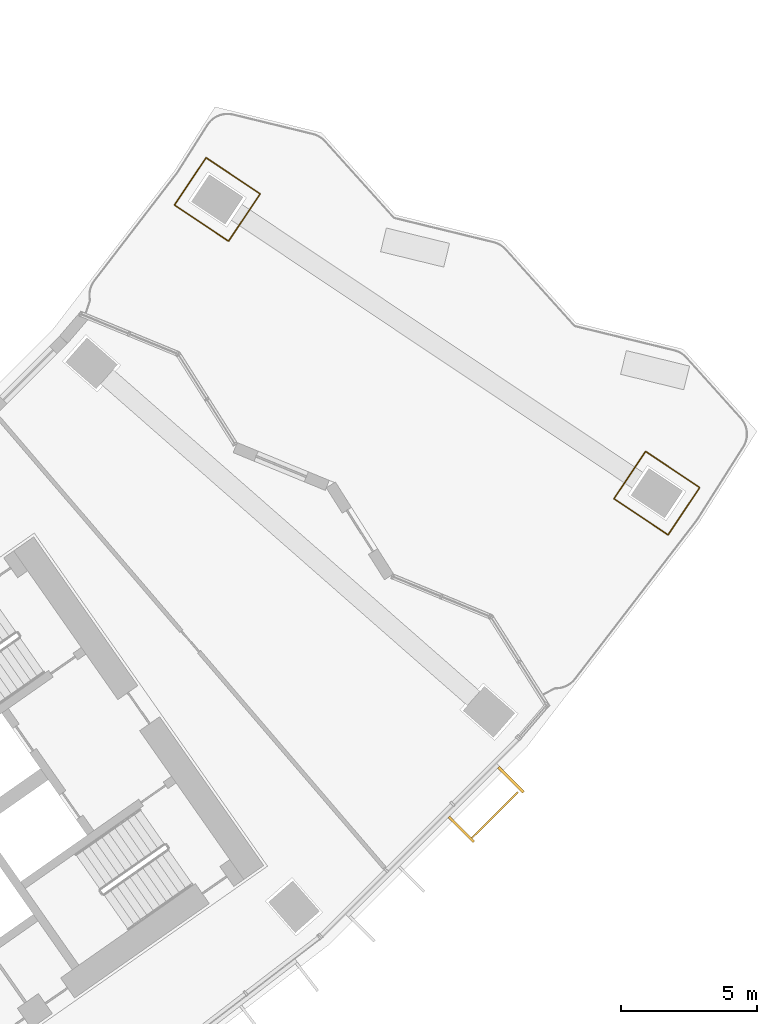
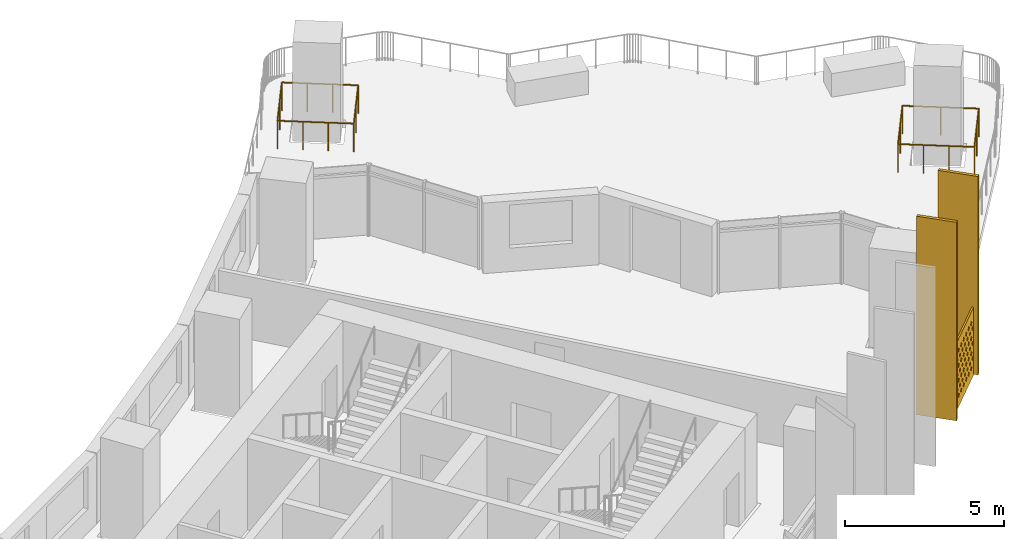
# One storey, part 32 of 33: 3 shading devices, 2 railings.
"""IFC4 building model written with IfcOpenShell, lengths in metres."""

from ifc_helpers import new_model, si_unit, direction, frame, origin, origin_2d, place, context, subcontext, project, spatial, polyline, rectangle, circle, outline, extrude, material, material_profile, profile_set, type_object, element, save


model = new_model("IFC4")

# Units and contexts
model_context = context("Model", 3, precision=1e-05, world=origin(), true_north=direction((0.0, 1.0)))
body_context = subcontext(model_context, "Body", "Model", "MODEL_VIEW")
ifc_project = project(units=[si_unit("LENGTHUNIT", "METRE"), si_unit("AREAUNIT", "SQUARE_METRE"), si_unit("VOLUMEUNIT", "CUBIC_METRE"), si_unit("PLANEANGLEUNIT", "RADIAN"), si_unit("MASSUNIT", "GRAM", prefix="KILO")], contexts=[model_context])

# Site, building, storey
site_placement = place(None, origin())
site = spatial("IfcSite", under=ifc_project, at=site_placement, CompositionType="ELEMENT")
building_placement = place(site_placement, origin())
building = spatial("IfcBuilding", under=site, at=building_placement, Name="Qamariyya Broadcast Tower", CompositionType="ELEMENT")
storey_placement = place(building_placement, frame((0.0, 0.0, 94.89990234375)))
storey = spatial("IfcBuildingStorey", under=building, at=storey_placement, Name="L20", CompositionType="ELEMENT", Elevation=94.89990234375)

# Shading device
ifc_material_1 = material(Name="Perforated glazed terracotta", Category="masonry")
ifc_material_profile_1 = material_profile(ifc_material_1, outline(polyline([(-1.199951171875, -1.300048828125), (1.199951171875, -1.300048828125), (1.199951171875, 1.300048828125), (-1.199951171875, 1.300048828125), (-1.199951171875, -1.300048828125)]), holes=[polyline([(-0.81494140625, -0.86669921875), (-0.89990234375, -0.78173828125), (-0.985107421875, -0.86669921875), (-0.89990234375, -0.95166015625), (-0.81494140625, -0.86669921875)]), polyline([(-0.514892578125, -0.86669921875), (-0.60009765625, -0.78173828125), (-0.68505859375, -0.86669921875), (-0.60009765625, -0.95166015625), (-0.514892578125, -0.86669921875)]), polyline([(-0.215087890625, -0.86669921875), (-0.300048828125, -0.78173828125), (-0.385009765625, -0.86669921875), (-0.300048828125, -0.95166015625), (-0.215087890625, -0.86669921875)]), polyline([(0.0849609375, -0.86669921875), (0.0, -0.78173828125), (-0.0849609375, -0.86669921875), (0.0, -0.95166015625), (0.0849609375, -0.86669921875)]), polyline([(0.385009765625, -0.86669921875), (0.300048828125, -0.78173828125), (0.215087890625, -0.86669921875), (0.300048828125, -0.95166015625), (0.385009765625, -0.86669921875)]), polyline([(0.68505859375, -0.86669921875), (0.60009765625, -0.78173828125), (0.514892578125, -0.86669921875), (0.60009765625, -0.95166015625), (0.68505859375, -0.86669921875)]), polyline([(0.985107421875, -0.86669921875), (0.89990234375, -0.78173828125), (0.81494140625, -0.86669921875), (0.89990234375, -0.95166015625), (0.985107421875, -0.86669921875)]), polyline([(-0.965087890625, -0.577880859375), (-1.050048828125, -0.49267578125), (-1.135009765625, -0.577880859375), (-1.050048828125, -0.662841796875), (-0.965087890625, -0.577880859375)]), polyline([(-0.6650390625, -0.577880859375), (-0.75, -0.49267578125), (-0.8349609375, -0.577880859375), (-0.75, -0.662841796875), (-0.6650390625, -0.577880859375)]), polyline([(-0.364990234375, -0.577880859375), (-0.449951171875, -0.49267578125), (-0.534912109375, -0.577880859375), (-0.449951171875, -0.662841796875), (-0.364990234375, -0.577880859375)]), polyline([(-0.06494140625, -0.577880859375), (-0.14990234375, -0.49267578125), (-0.235107421875, -0.577880859375), (-0.14990234375, -0.662841796875), (-0.06494140625, -0.577880859375)]), polyline([(0.235107421875, -0.577880859375), (0.14990234375, -0.49267578125), (0.06494140625, -0.577880859375), (0.14990234375, -0.662841796875), (0.235107421875, -0.577880859375)]), polyline([(0.534912109375, -0.577880859375), (0.449951171875, -0.49267578125), (0.364990234375, -0.577880859375), (0.449951171875, -0.662841796875), (0.534912109375, -0.577880859375)]), polyline([(0.8349609375, -0.577880859375), (0.75, -0.49267578125), (0.6650390625, -0.577880859375), (0.75, -0.662841796875), (0.8349609375, -0.577880859375)]), polyline([(1.135009765625, -0.577880859375), (1.050048828125, -0.49267578125), (0.965087890625, -0.577880859375), (1.050048828125, -0.662841796875), (1.135009765625, -0.577880859375)]), polyline([(-0.81494140625, -0.288818359375), (-0.89990234375, -0.203857421875), (-0.985107421875, -0.288818359375), (-0.89990234375, -0.373779296875), (-0.81494140625, -0.288818359375)]), polyline([(-0.514892578125, -0.288818359375), (-0.60009765625, -0.203857421875), (-0.68505859375, -0.288818359375), (-0.60009765625, -0.373779296875), (-0.514892578125, -0.288818359375)]), polyline([(-0.215087890625, -0.288818359375), (-0.300048828125, -0.203857421875), (-0.385009765625, -0.288818359375), (-0.300048828125, -0.373779296875), (-0.215087890625, -0.288818359375)]), polyline([(0.0849609375, -0.288818359375), (0.0, -0.203857421875), (-0.0849609375, -0.288818359375), (0.0, -0.373779296875), (0.0849609375, -0.288818359375)]), polyline([(0.385009765625, -0.288818359375), (0.300048828125, -0.203857421875), (0.215087890625, -0.288818359375), (0.300048828125, -0.373779296875), (0.385009765625, -0.288818359375)]), polyline([(0.68505859375, -0.288818359375), (0.60009765625, -0.203857421875), (0.514892578125, -0.288818359375), (0.60009765625, -0.373779296875), (0.68505859375, -0.288818359375)]), polyline([(0.985107421875, -0.288818359375), (0.89990234375, -0.203857421875), (0.81494140625, -0.288818359375), (0.89990234375, -0.373779296875), (0.985107421875, -0.288818359375)]), polyline([(-0.965087890625, 0.0), (-1.050048828125, 0.0849609375), (-1.135009765625, 0.0), (-1.050048828125, -0.0849609375), (-0.965087890625, 0.0)]), polyline([(-0.6650390625, 0.0), (-0.75, 0.0849609375), (-0.8349609375, 0.0), (-0.75, -0.0849609375), (-0.6650390625, 0.0)]), polyline([(-0.364990234375, 0.0), (-0.449951171875, 0.0849609375), (-0.534912109375, 0.0), (-0.449951171875, -0.0849609375), (-0.364990234375, 0.0)]), polyline([(-0.06494140625, 0.0), (-0.14990234375, 0.0849609375), (-0.235107421875, 0.0), (-0.14990234375, -0.0849609375), (-0.06494140625, 0.0)]), polyline([(0.235107421875, 0.0), (0.14990234375, 0.0849609375), (0.06494140625, 0.0), (0.14990234375, -0.0849609375), (0.235107421875, 0.0)]), polyline([(0.534912109375, 0.0), (0.449951171875, 0.0849609375), (0.364990234375, 0.0), (0.449951171875, -0.0849609375), (0.534912109375, 0.0)]), polyline([(0.8349609375, 0.0), (0.75, 0.0849609375), (0.6650390625, 0.0), (0.75, -0.0849609375), (0.8349609375, 0.0)]), polyline([(1.135009765625, 0.0), (1.050048828125, 0.0849609375), (0.965087890625, 0.0), (1.050048828125, -0.0849609375), (1.135009765625, 0.0)]), polyline([(-0.81494140625, 0.288818359375), (-0.89990234375, 0.373779296875), (-0.985107421875, 0.288818359375), (-0.89990234375, 0.203857421875), (-0.81494140625, 0.288818359375)]), polyline([(-0.514892578125, 0.288818359375), (-0.60009765625, 0.373779296875), (-0.68505859375, 0.288818359375), (-0.60009765625, 0.203857421875), (-0.514892578125, 0.288818359375)]), polyline([(-0.215087890625, 0.288818359375), (-0.300048828125, 0.373779296875), (-0.385009765625, 0.288818359375), (-0.300048828125, 0.203857421875), (-0.215087890625, 0.288818359375)]), polyline([(0.0849609375, 0.288818359375), (0.0, 0.373779296875), (-0.0849609375, 0.288818359375), (0.0, 0.203857421875), (0.0849609375, 0.288818359375)]), polyline([(0.385009765625, 0.288818359375), (0.300048828125, 0.373779296875), (0.215087890625, 0.288818359375), (0.300048828125, 0.203857421875), (0.385009765625, 0.288818359375)]), polyline([(0.68505859375, 0.288818359375), (0.60009765625, 0.373779296875), (0.514892578125, 0.288818359375), (0.60009765625, 0.203857421875), (0.68505859375, 0.288818359375)]), polyline([(0.985107421875, 0.288818359375), (0.89990234375, 0.373779296875), (0.81494140625, 0.288818359375), (0.89990234375, 0.203857421875), (0.985107421875, 0.288818359375)]), polyline([(-0.965087890625, 0.577880859375), (-1.050048828125, 0.662841796875), (-1.135009765625, 0.577880859375), (-1.050048828125, 0.49267578125), (-0.965087890625, 0.577880859375)]), polyline([(-0.6650390625, 0.577880859375), (-0.75, 0.662841796875), (-0.8349609375, 0.577880859375), (-0.75, 0.49267578125), (-0.6650390625, 0.577880859375)]), polyline([(-0.364990234375, 0.577880859375), (-0.449951171875, 0.662841796875), (-0.534912109375, 0.577880859375), (-0.449951171875, 0.49267578125), (-0.364990234375, 0.577880859375)]), polyline([(-0.06494140625, 0.577880859375), (-0.14990234375, 0.662841796875), (-0.235107421875, 0.577880859375), (-0.14990234375, 0.49267578125), (-0.06494140625, 0.577880859375)]), polyline([(0.235107421875, 0.577880859375), (0.14990234375, 0.662841796875), (0.06494140625, 0.577880859375), (0.14990234375, 0.49267578125), (0.235107421875, 0.577880859375)]), polyline([(0.534912109375, 0.577880859375), (0.449951171875, 0.662841796875), (0.364990234375, 0.577880859375), (0.449951171875, 0.49267578125), (0.534912109375, 0.577880859375)]), polyline([(0.8349609375, 0.577880859375), (0.75, 0.662841796875), (0.6650390625, 0.577880859375), (0.75, 0.49267578125), (0.8349609375, 0.577880859375)]), polyline([(1.135009765625, 0.577880859375), (1.050048828125, 0.662841796875), (0.965087890625, 0.577880859375), (1.050048828125, 0.49267578125), (1.135009765625, 0.577880859375)]), polyline([(-0.81494140625, 0.86669921875), (-0.89990234375, 0.95166015625), (-0.985107421875, 0.86669921875), (-0.89990234375, 0.78173828125), (-0.81494140625, 0.86669921875)]), polyline([(-0.514892578125, 0.86669921875), (-0.60009765625, 0.95166015625), (-0.68505859375, 0.86669921875), (-0.60009765625, 0.78173828125), (-0.514892578125, 0.86669921875)]), polyline([(-0.215087890625, 0.86669921875), (-0.300048828125, 0.95166015625), (-0.385009765625, 0.86669921875), (-0.300048828125, 0.78173828125), (-0.215087890625, 0.86669921875)]), polyline([(0.0849609375, 0.86669921875), (0.0, 0.95166015625), (-0.0849609375, 0.86669921875), (0.0, 0.78173828125), (0.0849609375, 0.86669921875)]), polyline([(0.385009765625, 0.86669921875), (0.300048828125, 0.95166015625), (0.215087890625, 0.86669921875), (0.300048828125, 0.78173828125), (0.385009765625, 0.86669921875)]), polyline([(0.68505859375, 0.86669921875), (0.60009765625, 0.95166015625), (0.514892578125, 0.86669921875), (0.60009765625, 0.78173828125), (0.68505859375, 0.86669921875)]), polyline([(0.985107421875, 0.86669921875), (0.89990234375, 0.95166015625), (0.81494140625, 0.86669921875), (0.89990234375, 0.78173828125), (0.985107421875, 0.86669921875)])]))
ifc_profile_set_1 = profile_set([ifc_material_profile_1], Name="Perforated glazed terracotta")
shading_device_type_1 = type_object("IfcShadingDeviceType", Name="Perforated terracotta screen 2400 x 2600", PredefinedType="USERDEFINED", material=ifc_profile_set_1)
shading_device_placement = place(storey_placement, frame((58.65234375, -55.05078125, 1.35009765625), z_axis=(0.705066081692, -0.709141608176, 0.0), x_axis=(0.709141608176, 0.705066081692, 0.0)))
element("IfcShadingDevice", 1, at=shading_device_placement, inside=storey, type_object=shading_device_type_1, Name="e-scr-L20-15-2", ObjectType="SCREEN", PredefinedType="USERDEFINED", context=body_context, shape_type="SweptSolid", body=[
    extrude(outline(polyline([(-1.199951171875, -1.300048828125), (1.199951171875, -1.300048828125), (1.199951171875, 1.300048828125), (-1.199951171875, 1.300048828125), (-1.199951171875, -1.300048828125)]), holes=[polyline([(-0.81494140625, -0.86669921875), (-0.89990234375, -0.78173828125), (-0.985107421875, -0.86669921875), (-0.89990234375, -0.95166015625), (-0.81494140625, -0.86669921875)]), polyline([(-0.514892578125, -0.86669921875), (-0.60009765625, -0.78173828125), (-0.68505859375, -0.86669921875), (-0.60009765625, -0.95166015625), (-0.514892578125, -0.86669921875)]), polyline([(-0.215087890625, -0.86669921875), (-0.300048828125, -0.78173828125), (-0.385009765625, -0.86669921875), (-0.300048828125, -0.95166015625), (-0.215087890625, -0.86669921875)]), polyline([(0.0849609375, -0.86669921875), (0.0, -0.78173828125), (-0.0849609375, -0.86669921875), (0.0, -0.95166015625), (0.0849609375, -0.86669921875)]), polyline([(0.385009765625, -0.86669921875), (0.300048828125, -0.78173828125), (0.215087890625, -0.86669921875), (0.300048828125, -0.95166015625), (0.385009765625, -0.86669921875)]), polyline([(0.68505859375, -0.86669921875), (0.60009765625, -0.78173828125), (0.514892578125, -0.86669921875), (0.60009765625, -0.95166015625), (0.68505859375, -0.86669921875)]), polyline([(0.985107421875, -0.86669921875), (0.89990234375, -0.78173828125), (0.81494140625, -0.86669921875), (0.89990234375, -0.95166015625), (0.985107421875, -0.86669921875)]), polyline([(-0.965087890625, -0.577880859375), (-1.050048828125, -0.49267578125), (-1.135009765625, -0.577880859375), (-1.050048828125, -0.662841796875), (-0.965087890625, -0.577880859375)]), polyline([(-0.6650390625, -0.577880859375), (-0.75, -0.49267578125), (-0.8349609375, -0.577880859375), (-0.75, -0.662841796875), (-0.6650390625, -0.577880859375)]), polyline([(-0.364990234375, -0.577880859375), (-0.449951171875, -0.49267578125), (-0.534912109375, -0.577880859375), (-0.449951171875, -0.662841796875), (-0.364990234375, -0.577880859375)]), polyline([(-0.06494140625, -0.577880859375), (-0.14990234375, -0.49267578125), (-0.235107421875, -0.577880859375), (-0.14990234375, -0.662841796875), (-0.06494140625, -0.577880859375)]), polyline([(0.235107421875, -0.577880859375), (0.14990234375, -0.49267578125), (0.06494140625, -0.577880859375), (0.14990234375, -0.662841796875), (0.235107421875, -0.577880859375)]), polyline([(0.534912109375, -0.577880859375), (0.449951171875, -0.49267578125), (0.364990234375, -0.577880859375), (0.449951171875, -0.662841796875), (0.534912109375, -0.577880859375)]), polyline([(0.8349609375, -0.577880859375), (0.75, -0.49267578125), (0.6650390625, -0.577880859375), (0.75, -0.662841796875), (0.8349609375, -0.577880859375)]), polyline([(1.135009765625, -0.577880859375), (1.050048828125, -0.49267578125), (0.965087890625, -0.577880859375), (1.050048828125, -0.662841796875), (1.135009765625, -0.577880859375)]), polyline([(-0.81494140625, -0.288818359375), (-0.89990234375, -0.203857421875), (-0.985107421875, -0.288818359375), (-0.89990234375, -0.373779296875), (-0.81494140625, -0.288818359375)]), polyline([(-0.514892578125, -0.288818359375), (-0.60009765625, -0.203857421875), (-0.68505859375, -0.288818359375), (-0.60009765625, -0.373779296875), (-0.514892578125, -0.288818359375)]), polyline([(-0.215087890625, -0.288818359375), (-0.300048828125, -0.203857421875), (-0.385009765625, -0.288818359375), (-0.300048828125, -0.373779296875), (-0.215087890625, -0.288818359375)]), polyline([(0.0849609375, -0.288818359375), (0.0, -0.203857421875), (-0.0849609375, -0.288818359375), (0.0, -0.373779296875), (0.0849609375, -0.288818359375)]), polyline([(0.385009765625, -0.288818359375), (0.300048828125, -0.203857421875), (0.215087890625, -0.288818359375), (0.300048828125, -0.373779296875), (0.385009765625, -0.288818359375)]), polyline([(0.68505859375, -0.288818359375), (0.60009765625, -0.203857421875), (0.514892578125, -0.288818359375), (0.60009765625, -0.373779296875), (0.68505859375, -0.288818359375)]), polyline([(0.985107421875, -0.288818359375), (0.89990234375, -0.203857421875), (0.81494140625, -0.288818359375), (0.89990234375, -0.373779296875), (0.985107421875, -0.288818359375)]), polyline([(-0.965087890625, 0.0), (-1.050048828125, 0.0849609375), (-1.135009765625, 0.0), (-1.050048828125, -0.0849609375), (-0.965087890625, 0.0)]), polyline([(-0.6650390625, 0.0), (-0.75, 0.0849609375), (-0.8349609375, 0.0), (-0.75, -0.0849609375), (-0.6650390625, 0.0)]), polyline([(-0.364990234375, 0.0), (-0.449951171875, 0.0849609375), (-0.534912109375, 0.0), (-0.449951171875, -0.0849609375), (-0.364990234375, 0.0)]), polyline([(-0.06494140625, 0.0), (-0.14990234375, 0.0849609375), (-0.235107421875, 0.0), (-0.14990234375, -0.0849609375), (-0.06494140625, 0.0)]), polyline([(0.235107421875, 0.0), (0.14990234375, 0.0849609375), (0.06494140625, 0.0), (0.14990234375, -0.0849609375), (0.235107421875, 0.0)]), polyline([(0.534912109375, 0.0), (0.449951171875, 0.0849609375), (0.364990234375, 0.0), (0.449951171875, -0.0849609375), (0.534912109375, 0.0)]), polyline([(0.8349609375, 0.0), (0.75, 0.0849609375), (0.6650390625, 0.0), (0.75, -0.0849609375), (0.8349609375, 0.0)]), polyline([(1.135009765625, 0.0), (1.050048828125, 0.0849609375), (0.965087890625, 0.0), (1.050048828125, -0.0849609375), (1.135009765625, 0.0)]), polyline([(-0.81494140625, 0.288818359375), (-0.89990234375, 0.373779296875), (-0.985107421875, 0.288818359375), (-0.89990234375, 0.203857421875), (-0.81494140625, 0.288818359375)]), polyline([(-0.514892578125, 0.288818359375), (-0.60009765625, 0.373779296875), (-0.68505859375, 0.288818359375), (-0.60009765625, 0.203857421875), (-0.514892578125, 0.288818359375)]), polyline([(-0.215087890625, 0.288818359375), (-0.300048828125, 0.373779296875), (-0.385009765625, 0.288818359375), (-0.300048828125, 0.203857421875), (-0.215087890625, 0.288818359375)]), polyline([(0.0849609375, 0.288818359375), (0.0, 0.373779296875), (-0.0849609375, 0.288818359375), (0.0, 0.203857421875), (0.0849609375, 0.288818359375)]), polyline([(0.385009765625, 0.288818359375), (0.300048828125, 0.373779296875), (0.215087890625, 0.288818359375), (0.300048828125, 0.203857421875), (0.385009765625, 0.288818359375)]), polyline([(0.68505859375, 0.288818359375), (0.60009765625, 0.373779296875), (0.514892578125, 0.288818359375), (0.60009765625, 0.203857421875), (0.68505859375, 0.288818359375)]), polyline([(0.985107421875, 0.288818359375), (0.89990234375, 0.373779296875), (0.81494140625, 0.288818359375), (0.89990234375, 0.203857421875), (0.985107421875, 0.288818359375)]), polyline([(-0.965087890625, 0.577880859375), (-1.050048828125, 0.662841796875), (-1.135009765625, 0.577880859375), (-1.050048828125, 0.49267578125), (-0.965087890625, 0.577880859375)]), polyline([(-0.6650390625, 0.577880859375), (-0.75, 0.662841796875), (-0.8349609375, 0.577880859375), (-0.75, 0.49267578125), (-0.6650390625, 0.577880859375)]), polyline([(-0.364990234375, 0.577880859375), (-0.449951171875, 0.662841796875), (-0.534912109375, 0.577880859375), (-0.449951171875, 0.49267578125), (-0.364990234375, 0.577880859375)]), polyline([(-0.06494140625, 0.577880859375), (-0.14990234375, 0.662841796875), (-0.235107421875, 0.577880859375), (-0.14990234375, 0.49267578125), (-0.06494140625, 0.577880859375)]), polyline([(0.235107421875, 0.577880859375), (0.14990234375, 0.662841796875), (0.06494140625, 0.577880859375), (0.14990234375, 0.49267578125), (0.235107421875, 0.577880859375)]), polyline([(0.534912109375, 0.577880859375), (0.449951171875, 0.662841796875), (0.364990234375, 0.577880859375), (0.449951171875, 0.49267578125), (0.534912109375, 0.577880859375)]), polyline([(0.8349609375, 0.577880859375), (0.75, 0.662841796875), (0.6650390625, 0.577880859375), (0.75, 0.49267578125), (0.8349609375, 0.577880859375)]), polyline([(1.135009765625, 0.577880859375), (1.050048828125, 0.662841796875), (0.965087890625, 0.577880859375), (1.050048828125, 0.49267578125), (1.135009765625, 0.577880859375)]), polyline([(-0.81494140625, 0.86669921875), (-0.89990234375, 0.95166015625), (-0.985107421875, 0.86669921875), (-0.89990234375, 0.78173828125), (-0.81494140625, 0.86669921875)]), polyline([(-0.514892578125, 0.86669921875), (-0.60009765625, 0.95166015625), (-0.68505859375, 0.86669921875), (-0.60009765625, 0.78173828125), (-0.514892578125, 0.86669921875)]), polyline([(-0.215087890625, 0.86669921875), (-0.300048828125, 0.95166015625), (-0.385009765625, 0.86669921875), (-0.300048828125, 0.78173828125), (-0.215087890625, 0.86669921875)]), polyline([(0.0849609375, 0.86669921875), (0.0, 0.95166015625), (-0.0849609375, 0.86669921875), (0.0, 0.78173828125), (0.0849609375, 0.86669921875)]), polyline([(0.385009765625, 0.86669921875), (0.300048828125, 0.95166015625), (0.215087890625, 0.86669921875), (0.300048828125, 0.78173828125), (0.385009765625, 0.86669921875)]), polyline([(0.68505859375, 0.86669921875), (0.60009765625, 0.95166015625), (0.514892578125, 0.86669921875), (0.60009765625, 0.78173828125), (0.68505859375, 0.86669921875)]), polyline([(0.985107421875, 0.86669921875), (0.89990234375, 0.95166015625), (0.81494140625, 0.86669921875), (0.89990234375, 0.78173828125), (0.985107421875, 0.86669921875)])]), origin(), (0.0, 0.0, 1.0), 0.059814453125),
])

# Railings
ifc_material_2 = material(Name="Stainless steel 316 with toughened glass infill", Category="steel")
railing_type = type_object("IfcRailingType", Name="Terrace guard, glass and stainless steel", PredefinedType="GUARDRAIL", material=ifc_material_2)
railing_1_placement = place(storey_placement, frame((50.01416015625, -32.15576171875, 0.0)))
element("IfcRailing", 2, at=railing_1_placement, inside=storey, type_object=railing_type, Name="e-r-L20-t1-pyl4", PredefinedType="GUARDRAIL", context=body_context, shape_type="SweptSolid", body=[
    extrude(circle(Radius=0.02392578125, at=origin_2d()), frame((0.0, 0.0, 1.076171875), z_axis=(-0.555638920737, -0.831423712533, 0.0), x_axis=(0.831423712533, -0.555638920737, 0.0)), (0.0, 0.0, 1.0), 2.099853515625),
    extrude(circle(Radius=0.02392578125, at=origin_2d()), frame((-1.166748046875, -1.745849609375, 1.076171875), z_axis=(-0.831502137361, 0.555521552744, 0.0), x_axis=(-0.555521552744, -0.831502137361, 0.0)), (0.0, 0.0, 1.0), 2.39990234375),
    extrude(circle(Radius=0.02392578125, at=origin_2d()), frame((-3.162353515625, -0.41259765625, 1.076171875), z_axis=(0.555585212848, 0.831459602906, 0.0), x_axis=(-0.831459602906, 0.555585212848, 0.0)), (0.0, 0.0, 1.0), 2.10009765625),
    extrude(circle(Radius=0.02392578125, at=origin_2d()), frame((-1.99560546875, 1.33349609375, 1.076171875), z_axis=(0.831455148387, -0.555591879189, 0.0), x_axis=(0.555591879189, 0.831455148387, 0.0)), (0.0, 0.0, 1.0), 2.400146484375),
    extrude(circle(Radius=0.02099609375, at=origin_2d()), origin(), (0.0, 0.0, 1.0), 1.052001953125),
    extrude(circle(Radius=0.02099609375, at=origin_2d()), frame((-0.58349609375, -0.873046875, 0.0)), (0.0, 0.0, 1.0), 1.052001953125),
    extrude(circle(Radius=0.02099609375, at=origin_2d()), frame((-1.166748046875, -1.745849609375, 0.0)), (0.0, 0.0, 1.0), 1.052001953125),
    extrude(circle(Radius=0.02099609375, at=origin_2d()), frame((-1.83203125, -1.301513671875, 0.0)), (0.0, 0.0, 1.0), 1.052001953125),
    extrude(circle(Radius=0.02099609375, at=origin_2d()), frame((-2.4970703125, -0.85693359375, 0.0)), (0.0, 0.0, 1.0), 1.052001953125),
    extrude(circle(Radius=0.02099609375, at=origin_2d()), frame((-3.162353515625, -0.41259765625, 0.0)), (0.0, 0.0, 1.0), 1.052001953125),
    extrude(circle(Radius=0.02099609375, at=origin_2d()), frame((-2.5791015625, 0.46044921875, 0.0)), (0.0, 0.0, 1.0), 1.052001953125),
    extrude(circle(Radius=0.02099609375, at=origin_2d()), frame((-1.99560546875, 1.33349609375, 0.0)), (0.0, 0.0, 1.0), 1.052001953125),
    extrude(circle(Radius=0.02099609375, at=origin_2d()), frame((-1.330322265625, 0.888916015625, 0.0)), (0.0, 0.0, 1.0), 1.052001953125),
    extrude(circle(Radius=0.02099609375, at=origin_2d()), frame((-0.665283203125, 0.444580078125, 0.0)), (0.0, 0.0, 1.0), 1.052001953125),
])
railing_2_placement = place(storey_placement, frame((66.22802734375, -42.98974609375, 0.0)))
element("IfcRailing", 3, at=railing_2_placement, inside=storey, type_object=railing_type, Name="e-r-L20-t1-pyl5", PredefinedType="GUARDRAIL", context=body_context, shape_type="SweptSolid", body=[
    extrude(circle(Radius=0.02392578125, at=origin_2d()), frame((0.0, 0.0, 1.076171875), z_axis=(-0.555504834693, -0.831513306347, 0.0), x_axis=(0.831513306347, -0.555504834693, 0.0)), (0.0, 0.0, 1.0), 2.099853515625),
    extrude(circle(Radius=0.02392578125, at=origin_2d()), frame((-1.16650390625, -1.74609375, 1.076171875), z_axis=(-0.831455148387, 0.555591879189, 0.0), x_axis=(-0.555591879189, -0.831455148387, 0.0)), (0.0, 0.0, 1.0), 2.400146484375),
    extrude(circle(Radius=0.02392578125, at=origin_2d()), frame((-3.162109375, -0.41259765625, 1.076171875), z_axis=(0.555585212848, 0.831459602906, 0.0), x_axis=(-0.831459602906, 0.555585212848, 0.0)), (0.0, 0.0, 1.0), 2.10009765625),
    extrude(circle(Radius=0.02392578125, at=origin_2d()), frame((-1.995361328125, 1.33349609375, 1.076171875), z_axis=(0.831423745392, -0.555638871569, 0.0), x_axis=(0.555638871569, 0.831423745392, 0.0)), (0.0, 0.0, 1.0), 2.39990234375),
    extrude(circle(Radius=0.02099609375, at=origin_2d()), origin(), (0.0, 0.0, 1.0), 1.052001953125),
    extrude(circle(Radius=0.02099609375, at=origin_2d()), frame((-0.583251953125, -0.873046875, 0.0)), (0.0, 0.0, 1.0), 1.052001953125),
    extrude(circle(Radius=0.02099609375, at=origin_2d()), frame((-1.16650390625, -1.74609375, 0.0)), (0.0, 0.0, 1.0), 1.052001953125),
    extrude(circle(Radius=0.02099609375, at=origin_2d()), frame((-1.831787109375, -1.301513671875, 0.0)), (0.0, 0.0, 1.0), 1.052001953125),
    extrude(circle(Radius=0.02099609375, at=origin_2d()), frame((-2.496826171875, -0.857177734375, 0.0)), (0.0, 0.0, 1.0), 1.052001953125),
    extrude(circle(Radius=0.02099609375, at=origin_2d()), frame((-3.162109375, -0.41259765625, 0.0)), (0.0, 0.0, 1.0), 1.052001953125),
    extrude(circle(Radius=0.02099609375, at=origin_2d()), frame((-2.57861328125, 0.46044921875, 0.0)), (0.0, 0.0, 1.0), 1.052001953125),
    extrude(circle(Radius=0.02099609375, at=origin_2d()), frame((-1.995361328125, 1.33349609375, 0.0)), (0.0, 0.0, 1.0), 1.052001953125),
    extrude(circle(Radius=0.02099609375, at=origin_2d()), frame((-0.99755859375, 0.666748046875, 0.0)), (0.0, 0.0, 1.0), 1.052001953125),
])

# Shading devices
ifc_material_3 = material(Name="Glazed terracotta", Category="masonry")
ifc_material_profile_2 = material_profile(ifc_material_3, rectangle(XDim=1.300048828125, YDim=0.10009765625, at=origin_2d()))
ifc_profile_set_2 = profile_set([ifc_material_profile_2], Name="Glazed terracotta")
shading_device_type_2 = type_object("IfcShadingDeviceType", Name="Terracotta fin 100 x 1300", PredefinedType="USERDEFINED", material=ifc_profile_set_2)
for number, where, z_axis, x_axis, name in (
    (4, (57.43603515625, -55.602294921875, 0.0), (0.0, 0.0, 1.0), (0.707106781187, -0.707106781187, 0.0), "e-fin-L20-15-2"),
    (5, (59.269775390625, -53.7685546875, 0.0), (0.0, 0.0, 1.0), (0.707106781187, -0.707106781187, 0.0), "e-fin-L20-15-3"),
):
    element("IfcShadingDevice", number, at=place(storey_placement, frame(where, z_axis=z_axis, x_axis=x_axis)), inside=storey, type_object=shading_device_type_2, Name=name, ObjectType="FIN", PredefinedType="USERDEFINED", context=body_context, shape_type="SweptSolid", body=[
        extrude(rectangle(XDim=1.300048828125, YDim=0.10009765625, at=origin_2d()), origin(), (0.0, 0.0, 1.0), 7.60009765625),
    ])

save(model, "model.ifc")
